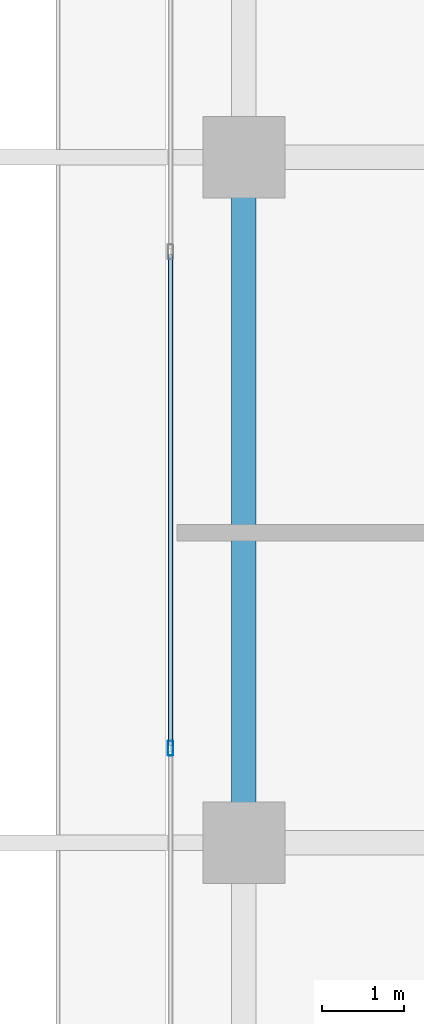
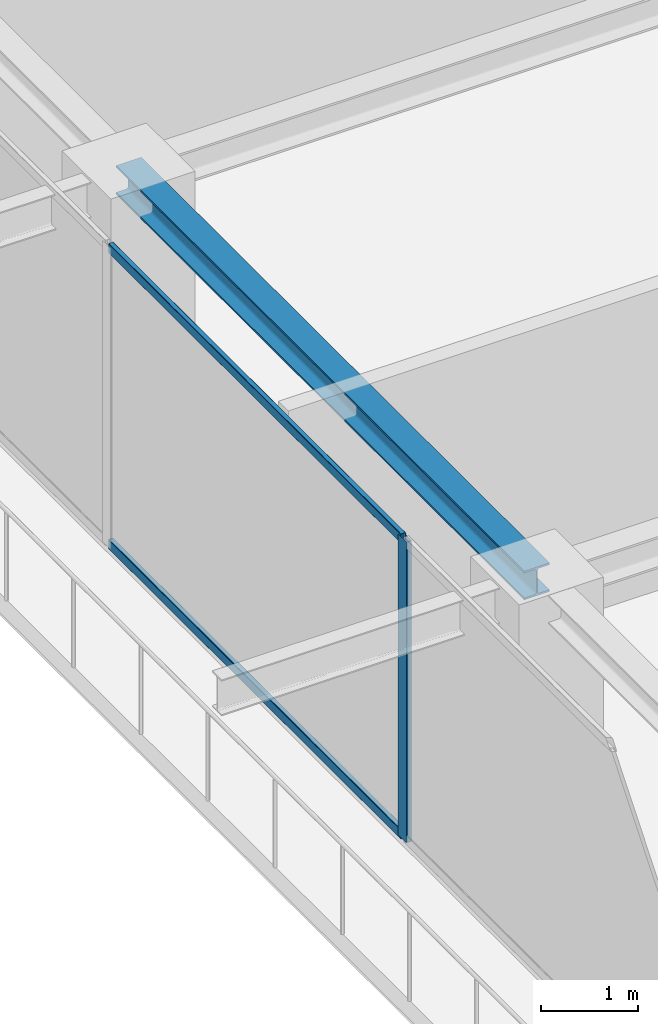
# One storey, part 8 of 39: 3 members, 1 beam, 1 element without a shape of its own.
"""IFC4 building model written with IfcOpenShell, lengths in metres."""

from ifc_helpers import new_model, si_unit, direction, frame, origin, origin_2d, place, context, subcontext, project, spatial, hollow_rectangle, i_section, extrude, source, transform, mapped, material, layer, layer_set, material_profile, profile_set, type_object, element, aggregate, save


model = new_model("IFC4")

# Units and contexts
model_context = context("Model", 3, precision=1e-05, world=origin(), true_north=direction((0.0, 1.0)))
body_context = subcontext(model_context, "Body", "Model", "MODEL_VIEW")
ifc_project = project(units=[si_unit("LENGTHUNIT", "METRE"), si_unit("AREAUNIT", "SQUARE_METRE"), si_unit("VOLUMEUNIT", "CUBIC_METRE"), si_unit("PLANEANGLEUNIT", "RADIAN"), si_unit("MASSUNIT", "GRAM", prefix="KILO")], contexts=[model_context])

# Site, building, storey
site_placement = place(None, origin())
site = spatial("IfcSite", under=ifc_project, at=site_placement, CompositionType="ELEMENT")
building_placement = place(site_placement, origin())
building = spatial("IfcBuilding", under=site, at=building_placement, Name="Serunith Strait Residences", CompositionType="ELEMENT")
storey_placement = place(building_placement, frame((0.0, 0.0, 329.89990234375)))
storey = spatial("IfcBuildingStorey", under=building, at=storey_placement, Name="L82", CompositionType="ELEMENT", Elevation=329.89990234375)

# Beam
ifc_material_1 = material(Name="Steel S355J2", Category="steel")
ifc_material_profile_1 = material_profile(ifc_material_1, i_section(OverallWidth=0.300048828125, OverallDepth=0.360107421875, WebThickness=0.012451171875, FlangeThickness=0.0224609375, FilletRadius=0.027099609375, at=origin_2d()), Name="HEB 360")
ifc_profile_set_1 = profile_set([ifc_material_profile_1], Name="Steel S355J2")
beam_type = type_object("IfcBeamType", Name="BM-HEB360", PredefinedType="BEAM", material=ifc_profile_set_1)
shared_shape_1 = source(origin(), body_context, "Body", "SweptSolid", [
    extrude(i_section(OverallWidth=0.300048828125, OverallDepth=0.360107421875, WebThickness=0.012451171875, FlangeThickness=0.0224609375, FilletRadius=0.027099609375, at=origin_2d()), origin(), (0.0, 0.0, 1.0), 8.39990234375),
])
beam_placement = place(storey_placement, frame((10.10009765625, 29.39990234375, 3.607177734375), z_axis=(0.0, -1.0, 0.0), x_axis=(1.0, 0.0, 0.0)))
element("IfcBeam", 1, at=beam_placement, inside=storey, type_object=beam_type, Name="L82 Perimeter Ring Beam 14", PredefinedType="BEAM", context=body_context, shape_type="MappedRepresentation", body=[
    mapped(shared_shape_1, transform((0.0, 0.0, 0.0), scale=1.0)),
])

# Curtain wall, members
ifc_material_2 = material(Name="Brushed Stainless-Silver Aluminium", Category="aluminium")
ifc_layer = layer(ifc_material_2, 0.199951171875, Name="Brushed Stainless-Silver Aluminium")
ifc_layer_set = layer_set([ifc_layer], Name="Brushed Stainless-Silver Aluminium")
curtain_wall_type = type_object("IfcCurtainWallType", Name="CW-SYS5", PredefinedType="NOTDEFINED", material=ifc_layer_set)
curtain_wall_placement = place(storey_placement, origin())
curtain_wall = element("IfcCurtainWall", 2, at=curtain_wall_placement, inside=storey, type_object=curtain_wall_type, Name="L82 W Unitised Fritted Curtain Wall", PredefinedType="NOTDEFINED")
ifc_material_profile_2 = material_profile(ifc_material_2, hollow_rectangle(XDim=0.06494140625, YDim=0.179931640625, WallThickness=0.00341796875, InnerFilletRadius=0.00537109375, OuterFilletRadius=0.0087890625, at=origin_2d()), Name="ALU 180x65x3.5")
ifc_profile_set_2 = profile_set([ifc_material_profile_2], Name="Brushed Stainless-Silver Aluminium")
member_type_1 = type_object("IfcMemberType", Name="CW-SYS5-MULL", PredefinedType="MULLION", material=ifc_profile_set_2)
shared_shape_2 = source(origin(), body_context, "Body", "SweptSolid", [
    extrude(hollow_rectangle(XDim=0.06494140625, YDim=0.179931640625, WallThickness=0.00341796875, InnerFilletRadius=0.00537109375, OuterFilletRadius=0.0087890625, at=origin_2d()), origin(), (0.0, 0.0, 1.0), 3.775146484375),
])
member_1_placement = place(storey_placement, frame((9.199951171875, 22.159912109375, 0.0), z_axis=(0.0, 0.0, 1.0), x_axis=(1.0, 0.0, 0.0)))
member_1 = element("IfcMember", 3, at=member_1_placement, type_object=member_type_1, Name="CW-5 mullion 4", PredefinedType="MULLION", context=body_context, shape_type="MappedRepresentation", body=[
    mapped(shared_shape_2, transform((0.0, 0.0, 0.0), scale=1.0)),
])
ifc_material_profile_3 = material_profile(ifc_material_2, hollow_rectangle(XDim=0.06005859375, YDim=0.1201171875, WallThickness=0.00341796875, InnerFilletRadius=0.00537109375, OuterFilletRadius=0.0087890625, at=origin_2d()), Name="ALU 120x60x3.5")
ifc_profile_set_3 = profile_set([ifc_material_profile_3], Name="Brushed Stainless-Silver Aluminium")
member_type_2 = type_object("IfcMemberType", Name="CW-SYS5-TRAN", PredefinedType="USERDEFINED", material=ifc_profile_set_3)
shared_shape_3 = source(origin(), body_context, "Body", "SweptSolid", [
    extrude(hollow_rectangle(XDim=0.06005859375, YDim=0.1201171875, WallThickness=0.00341796875, InnerFilletRadius=0.00537109375, OuterFilletRadius=0.0087890625, at=origin_2d()), origin(), (0.0, 0.0, 1.0), 6.01513671875),
])
member_2_placement = place(storey_placement, frame((9.199951171875, 28.20751953125, 0.030029296875), z_axis=(0.0, -1.0, 0.0), x_axis=(1.0, 0.0, 0.0)))
member_2 = element("IfcMember", 4, at=member_2_placement, type_object=member_type_2, Name="CW-5 transom 3.1", ObjectType="TRANSOM", PredefinedType="USERDEFINED", context=body_context, shape_type="MappedRepresentation", body=[
    mapped(shared_shape_3, transform((0.0, 0.0, 0.0), scale=1.0)),
])
member_3_placement = place(storey_placement, frame((9.199951171875, 28.20751953125, 3.7451171875), z_axis=(0.0, -1.0, 0.0), x_axis=(1.0, 0.0, 0.0)))
member_3 = element("IfcMember", 5, at=member_3_placement, type_object=member_type_2, Name="CW-5 transom 3.2", ObjectType="TRANSOM", PredefinedType="USERDEFINED", context=body_context, shape_type="MappedRepresentation", body=[
    mapped(shared_shape_3, transform((0.0, 0.0, 0.0), scale=1.0)),
])
aggregate(curtain_wall, [member_1, member_2, member_3])

save(model, "model.ifc")
